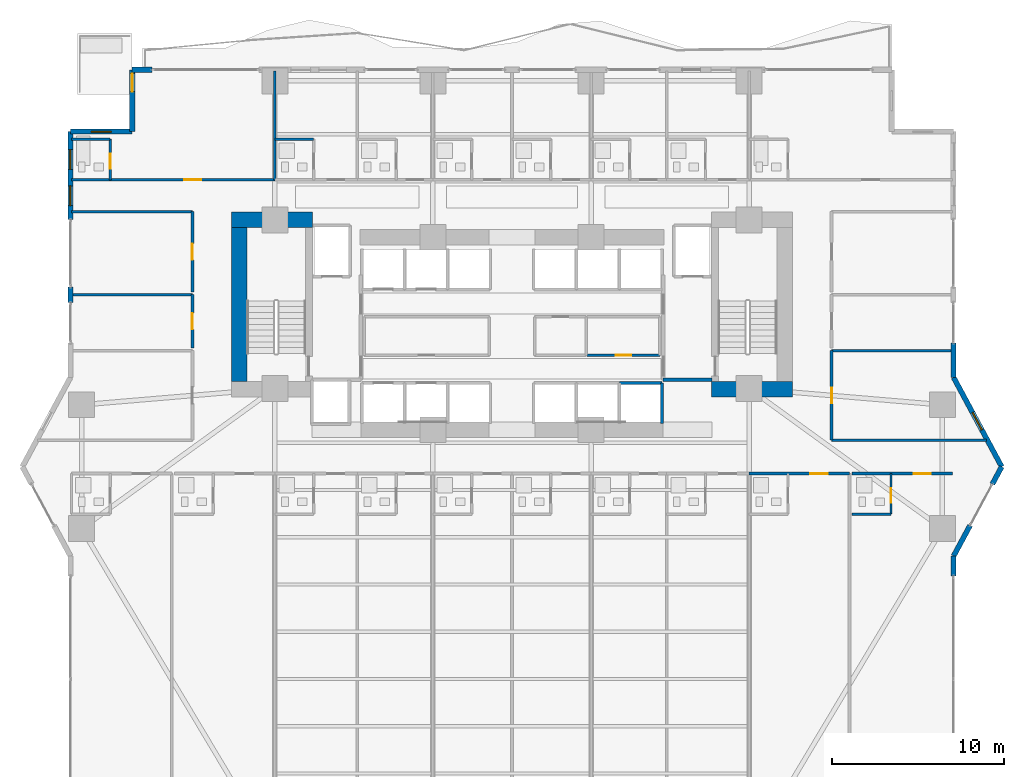
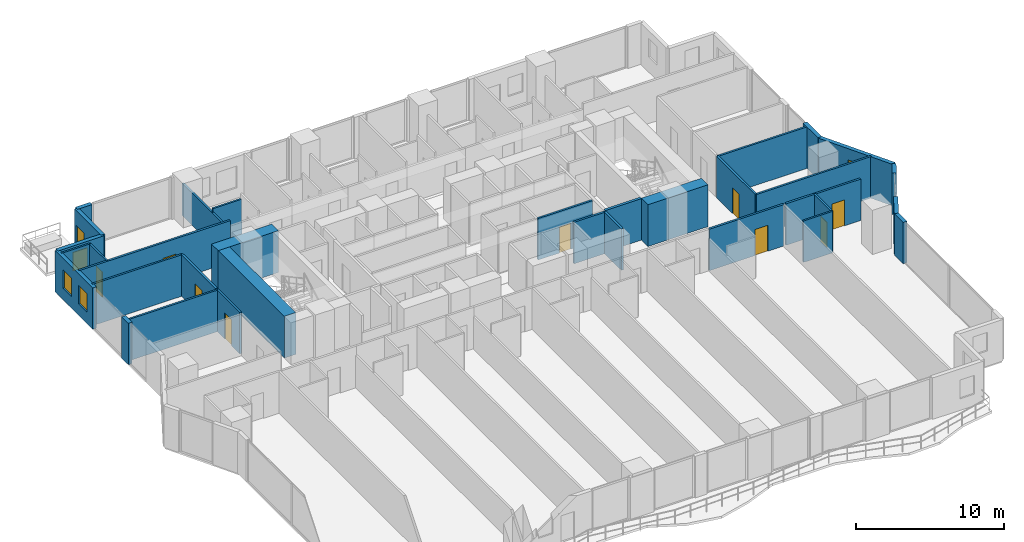
# One storey, part 21 of 29: 33 walls, 10 doors, 4 windows, 14 openings.
"""IFC4 building model written with IfcOpenShell, lengths in metres."""

import ifcopenshell
import ifcopenshell.guid

model = None  # the IFC model being written
_history = None  # IfcOwnerHistory: only IFC2X3 demands one
_inside = {}  # id of a spatial element -> (the spatial element, [elements in it])
_under = {}  # id of a project, library or spatial element -> (it, [spatial elements below it])
_declared = {}  # id of a project -> (the project, [libraries it declares])
_typed = {}  # id of a type object -> (the type object, [elements of that type])
_made_of = {}  # id of a material, layer set ... -> (it, [elements and type objects made of it])


def new_model(schema):
    """Start an empty IFC model of exactly this schema.

    Asked for "IFC4X3", IfcOpenShell would pick the latest addendum, in which some entities
    have other attributes; the version numbers below select the first issue.
    IFC2X3 requires an IfcOwnerHistory on every rooted entity: one is made here for all.
    """
    global model, _history
    if schema == "IFC4X3":
        model = ifcopenshell.file(schema_version=(4, 3, 0, 0))
    else:
        model = ifcopenshell.file(schema=schema)
    _inside.clear()
    _under.clear()
    _declared.clear()
    _typed.clear()
    _made_of.clear()
    _history = None
    if model.schema == "IFC2X3":
        org = make("IfcOrganization", Name="unknown")
        user = make(
            "IfcPersonAndOrganization",
            ThePerson=make("IfcPerson", FamilyName="unknown"),
            TheOrganization=org,
        )
        app = make(
            "IfcApplication",
            ApplicationDeveloper=org,
            Version="unknown",
            ApplicationFullName="unknown",
            ApplicationIdentifier="unknown",
        )
        _history = make(
            "IfcOwnerHistory",
            OwningUser=user,
            OwningApplication=app,
            ChangeAction="ADDED",
            CreationDate=0,
        )
    return model


def make(cls, **values):
    """One entity of the class cls with the attributes given. An attribute that is None is left unset."""
    return model.create_entity(
        cls, **{name: value for name, value in values.items() if value is not None}
    )


def rooted(cls, **values):
    """An entity with a GlobalId (a new one), such as an element, a storey or a relation."""
    return make(cls, GlobalId=ifcopenshell.guid.new(), OwnerHistory=_history, **values)


def si_unit(unit_type, name, prefix=None):
    """IfcSIUnit, for example si_unit("LENGTHUNIT", "METRE", prefix="MILLI")."""
    return make("IfcSIUnit", UnitType=unit_type, Prefix=prefix, Name=name)


def assignment(units):
    """IfcUnitAssignment: the units of a project."""
    return None if units is None else make("IfcUnitAssignment", Units=units)


def point(xyz):
    """IfcCartesianPoint."""
    return None if xyz is None else make("IfcCartesianPoint", Coordinates=xyz)


def direction(xyz):
    """IfcDirection."""
    return None if xyz is None else make("IfcDirection", DirectionRatios=xyz)


def frame(location, z_axis=None, x_axis=None):
    """IfcAxis2Placement3D, a coordinate frame: its origin and axes. An axis left out is left unset."""
    return make(
        "IfcAxis2Placement3D",
        Location=point(location),
        Axis=direction(z_axis),
        RefDirection=direction(x_axis),
    )


def frame_2d(location, x_axis=None):
    """IfcAxis2Placement2D, a coordinate frame in the plane: its origin and x axis."""
    return make(
        "IfcAxis2Placement2D", Location=point(location), RefDirection=direction(x_axis)
    )


def origin():
    """The frame at (0, 0, 0) with its axes left unset."""
    return frame((0.0, 0.0, 0.0))


def place(relative_to, where):
    """IfcLocalPlacement: puts the frame where relative to a parent placement (None: the world)."""
    return make(
        "IfcLocalPlacement", PlacementRelTo=relative_to, RelativePlacement=where
    )


def context(
    kind, dimensions, precision=None, world=None, true_north=None, identifier=None
):
    """IfcGeometricRepresentationContext, for example the 3D "Model" context."""
    return make(
        "IfcGeometricRepresentationContext",
        ContextIdentifier=identifier,
        ContextType=kind,
        CoordinateSpaceDimension=dimensions,
        Precision=precision,
        WorldCoordinateSystem=world,
        TrueNorth=true_north,
    )


def subcontext(parent, identifier, kind, view, scale=None):
    """IfcGeometricRepresentationSubContext, for example "Body" below "Model"."""
    return make(
        "IfcGeometricRepresentationSubContext",
        ContextIdentifier=identifier,
        ContextType=kind,
        ParentContext=parent,
        TargetScale=scale,
        TargetView=view,
    )


def project(units=None, contexts=None):
    """IfcProject with its units and contexts."""
    return rooted(
        "IfcProject",
        Name="project",
        RepresentationContexts=contexts,
        UnitsInContext=assignment(units),
    )


def spatial(cls, under=None, at=None, **own):
    """A site, building, storey or space (cls), placed at a placement, below another one or the project."""
    s = rooted(cls, ObjectPlacement=at, **own)
    if under is not None:
        _under.setdefault(under.id(), (under, []))[1].append(s)
    return s


def profile(cls, at=None, kind="AREA", **sizes):
    """A parametric profile (cls). Its sizes go by their IFC names, for example OverallWidth=200.0."""
    return make(cls, ProfileType=kind, Position=at, **sizes)


def rectangle(**sizes):
    """IfcRectangleProfileDef."""
    return profile("IfcRectangleProfileDef", **sizes)


def extrude(swept, where, along, depth):
    """IfcExtrudedAreaSolid: the profile swept, set in the frame where, extruded along a direction by depth."""
    return make(
        "IfcExtrudedAreaSolid",
        SweptArea=swept,
        Position=where,
        ExtrudedDirection=direction(along),
        Depth=depth,
    )


def shape(context_of_items, identifier, shape_type, items):
    """IfcShapeRepresentation: the items that make up one representation, for example the "Body"."""
    return make(
        "IfcShapeRepresentation",
        ContextOfItems=context_of_items,
        RepresentationIdentifier=identifier,
        RepresentationType=shape_type,
        Items=items,
    )


def material(Name=None, Category=None):
    """IfcMaterial."""
    return make("IfcMaterial", Name=Name, Category=Category)


def layer(
    of_material, thickness, ventilated=None, Name=None, Category=None, Priority=None
):
    """IfcMaterialLayer: one layer of a wall or slab, of a material (None: an air gap)."""
    return make(
        "IfcMaterialLayer",
        Material=of_material,
        LayerThickness=thickness,
        IsVentilated=ventilated,
        Name=Name,
        Category=Category,
        Priority=Priority,
    )


def layer_set(layers, Name=None):
    """IfcMaterialLayerSet."""
    return make("IfcMaterialLayerSet", MaterialLayers=layers, LayerSetName=Name)


def made_of(thing, what):
    """Note that an element or type object is made of a material, layer set ...; save() writes the relation."""
    if what is not None:
        _made_of.setdefault(what.id(), (what, []))[1].append(thing)
    return thing


def type_object(cls, material=None, **own):
    """A type object (cls), such as IfcWallType, which elements share."""
    return made_of(rooted(cls, **own), material)


def element(
    cls,
    number,
    at=None,
    inside=None,
    cuts=None,
    type_object=None,
    material=None,
    context=None,
    identifier="Body",
    shape_type=None,
    held_by="IfcProductDefinitionShape",
    body=None,
    shapes=None,
    **own,
):
    """One element of the class cls, such as IfcWall. Its Tag is "e" and its number.

    at: its placement. inside: the storey or other place that contains it. cuts: it is an
    opening in that element (IfcRelVoidsElement). A single representation is given by context,
    identifier, shape_type and body (its items); several are given by shapes. held_by: the class
    of the entity that holds the representations. save() writes the other relations.
    """
    e = rooted(cls, Tag="e%d" % number, ObjectPlacement=at, **own)
    if body is not None:
        shapes = [shape(context, identifier, shape_type, body)]
    if shapes is not None:
        e.Representation = make(held_by, Representations=shapes)
    if inside is not None:
        _inside.setdefault(inside.id(), (inside, []))[1].append(e)
    if cuts is not None:
        rooted(
            "IfcRelVoidsElement", RelatingBuildingElement=cuts, RelatedOpeningElement=e
        )
    if type_object is not None:
        _typed.setdefault(type_object.id(), (type_object, []))[1].append(e)
    return made_of(e, material)


def fill(opening, filler):
    """IfcRelFillsElement: the door or window that sits in an opening."""
    return rooted(
        "IfcRelFillsElement",
        RelatingOpeningElement=opening,
        RelatedBuildingElement=filler,
    )


def aggregate(whole, parts):
    """IfcRelAggregates: a whole, such as a stair, and the parts it consists of."""
    return rooted("IfcRelAggregates", RelatingObject=whole, RelatedObjects=parts)


def save(model, path):
    """Write the relations noted so far, then the file.

    IfcRelAggregates (storeys below a building ...), IfcRelContainedInSpatialStructure (elements
    in a storey), IfcRelDefinesByType, IfcRelAssociatesMaterial and IfcRelDeclares: one each for
    every whole, place, type object, material and project.
    """
    for whole, parts in _under.values():
        aggregate(whole, parts)
    for where, things in _inside.values():
        rooted(
            "IfcRelContainedInSpatialStructure",
            RelatedElements=things,
            RelatingStructure=where,
        )
    for kind, things in _typed.values():
        rooted("IfcRelDefinesByType", RelatedObjects=things, RelatingType=kind)
    for what, things in _made_of.values():
        rooted("IfcRelAssociatesMaterial", RelatedObjects=things, RelatingMaterial=what)
    for by, libraries in _declared.values():
        rooted("IfcRelDeclares", RelatingContext=by, RelatedDefinitions=libraries)
    model.write(path)


model = new_model("IFC4")

# Units and contexts
model_context = context("Model", 3, precision=1e-05, world=origin(), true_north=direction((0.0, 1.0)))
body_context = subcontext(model_context, "Body", "Model", "MODEL_VIEW")
ifc_project = project(units=[si_unit("LENGTHUNIT", "METRE"), si_unit("AREAUNIT", "SQUARE_METRE"), si_unit("VOLUMEUNIT", "CUBIC_METRE"), si_unit("PLANEANGLEUNIT", "RADIAN"), si_unit("MASSUNIT", "GRAM", prefix="KILO")], contexts=[model_context])

# Site, building, storey
site_placement = place(None, origin())
site = spatial("IfcSite", under=ifc_project, at=site_placement, CompositionType="ELEMENT")
building_placement = place(site_placement, origin())
building = spatial("IfcBuilding", under=site, at=building_placement, Name="Zuhayl Quay Hotel", CompositionType="ELEMENT")
storey_placement = place(building_placement, frame((0.0, 0.0, 60.449951171875)))
storey = spatial("IfcBuildingStorey", under=building, at=storey_placement, Name="L14", CompositionType="ELEMENT", Elevation=60.449951171875)

# Walls
ifc_material_1 = material(Name="Concrete C70/85", Category="concrete")
ifc_layer_1 = layer(ifc_material_1, 0.89990234375, Name="Concrete C70/85", Category="concrete")
ifc_layer_set_1 = layer_set([ifc_layer_1], Name="Concrete C70/85")
wall_type_1 = type_object("IfcWallType", Name="WL_CORE_900", PredefinedType="SHEAR", material=ifc_layer_set_1)
wall_1_placement = place(storey_placement, frame((-16.31005859375, 14.3798828125, 0.0), z_axis=(0.0, 0.0, 1.0), x_axis=(1.0, 0.0, 0.0)))
element("IfcWall", 1, at=wall_1_placement, inside=storey, type_object=wall_type_1, Name="L14 Core Shear Wall CW_NW", PredefinedType="SHEAR", context=body_context, shape_type="SweptSolid", body=[
    extrude(rectangle(XDim=4.7099609375, YDim=0.89990234375, at=frame_2d((2.35498046875, 0.0))), origin(), (0.0, 0.0, 1.0), 3.4599609375),
])
wall_2_placement = place(storey_placement, frame((-15.860107421875, 4.969970703125, 0.0), z_axis=(0.0, 0.0, 1.0), x_axis=(0.0, 1.0, 0.0)))
element("IfcWall", 2, at=wall_2_placement, inside=storey, type_object=wall_type_1, Name="L14 Core Shear Wall CW_W", PredefinedType="SHEAR", context=body_context, shape_type="SweptSolid", body=[
    extrude(rectangle(XDim=8.9599609375, YDim=0.89990234375, at=frame_2d((4.47998046875, 0.0))), origin(), (0.0, 0.0, 1.0), 3.4599609375),
])
wall_3_placement = place(storey_placement, frame((11.60009765625, 4.52001953125, 0.0), z_axis=(0.0, 0.0, 1.0), x_axis=(1.0, 0.0, 0.0)))
element("IfcWall", 3, at=wall_3_placement, inside=storey, type_object=wall_type_1, Name="L14 Core Shear Wall CW_SE", PredefinedType="SHEAR", context=body_context, shape_type="SweptSolid", body=[
    extrude(rectangle(XDim=4.7099609375, YDim=0.89990234375, at=frame_2d((2.35498046875, 0.0))), origin(), (0.0, 0.0, 1.0), 3.4599609375),
])
ifc_material_2 = material(Name="Precast concrete C45/55", Category="concrete")
ifc_layer_2 = layer(ifc_material_2, 0.300048828125, Name="Precast concrete C45/55", Category="concrete")
ifc_layer_set_2 = layer_set([ifc_layer_2], Name="Precast concrete C45/55")
wall_type_2 = type_object("IfcWallType", Name="WL_EXT_300", PredefinedType="STANDARD", material=ifc_layer_set_2)
wall_4_placement = place(storey_placement, frame((-25.699951171875, 9.570068359375, 0.0), z_axis=(0.0, 0.0, 1.0), x_axis=(0.0, 1.0, 0.0)))
element("IfcWall", 4, at=wall_4_placement, inside=storey, type_object=wall_type_2, Name="L14 Exterior Precast Wall ENV_L14_E05_EW2", PredefinedType="STANDARD", context=body_context, shape_type="SweptSolid", body=[
    extrude(rectangle(XDim=0.89990234375, YDim=0.300048828125, at=frame_2d((0.449951171875, 0.0))), origin(), (0.0, 0.0, 1.0), 3.429931640625),
])

# Wall, openings, windows
wall_5_placement = place(storey_placement, frame((-25.699951171875, 14.39990234375, 0.0), z_axis=(0.0, 0.0, 1.0), x_axis=(0.0, 1.0, 0.0)))
wall_5 = element("IfcWall", 5, at=wall_5_placement, inside=storey, type_object=wall_type_2, Name="L14 Exterior Precast Wall ENV_L14_E05_EW3", PredefinedType="STANDARD", context=body_context, shape_type="SweptSolid", body=[
    extrude(rectangle(XDim=5.10009765625, YDim=0.300048828125, at=frame_2d((2.550048828125, 0.0))), origin(), (0.0, 0.0, 1.0), 3.429931640625),
])
opening_1_placement = place(wall_5_placement, frame((0.800048828125, 0.0, 0.949951171875)))
opening_1 = element("IfcOpeningElement", 6, at=opening_1_placement, cuts=wall_5, Name="Opening W01N", PredefinedType="OPENING", context=body_context, shape_type="SweptSolid", body=[
    extrude(rectangle(XDim=1.14990234375, YDim=1.550048828125, at=frame_2d((0.574951171875, 0.77490234375))), frame((0.0, 0.159912109375, 0.0), z_axis=(0.0, -1.0, 0.0), x_axis=(1.0, 0.0, 0.0)), (0.0, 0.0, 1.0), 0.320068359375),
])
opening_2_placement = place(wall_5_placement, frame((2.905029296875, 0.0, 0.949951171875)))
opening_2 = element("IfcOpeningElement", 7, at=opening_2_placement, cuts=wall_5, Name="Opening W01N", PredefinedType="OPENING", context=body_context, shape_type="SweptSolid", body=[
    extrude(rectangle(XDim=1.14990234375, YDim=1.550048828125, at=frame_2d((0.574951171875, 0.77490234375))), frame((0.0, 0.159912109375, 0.0), z_axis=(0.0, -1.0, 0.0), x_axis=(1.0, 0.0, 0.0)), (0.0, 0.0, 1.0), 0.320068359375),
])
ifc_material_3 = material(Name="Dark Ceramic-Fritted Solar Glass", Category="glass")
window_type = type_object("IfcWindowType", Name="WN_NOTCH_1350", PartitioningType="SINGLE_PANEL", PredefinedType="WINDOW", material=ifc_material_3)
window_1_placement = place(opening_1_placement, origin())
window_1 = element("IfcWindow", 8, at=window_1_placement, inside=storey, type_object=window_type, Name="L14 Operable Facade Window 3-1", OverallHeight=1.550048828125, OverallWidth=1.14990234375, PartitioningType="SINGLE_PANEL", PredefinedType="WINDOW", context=body_context, shape_type="SweptSolid", body=[
    extrude(rectangle(XDim=1.14990234375, YDim=1.550048828125, at=frame_2d((0.574951171875, 0.77490234375))), frame((0.0, 0.030029296875, 0.0), z_axis=(0.0, -1.0, 0.0), x_axis=(1.0, 0.0, 0.0)), (0.0, 0.0, 1.0), 0.06005859375),
])
fill(opening_1, window_1)
window_2_placement = place(opening_2_placement, origin())
window_2 = element("IfcWindow", 9, at=window_2_placement, inside=storey, type_object=window_type, Name="L14 Operable Facade Window 3-2", OverallHeight=1.550048828125, OverallWidth=1.14990234375, PartitioningType="SINGLE_PANEL", PredefinedType="WINDOW", context=body_context, shape_type="SweptSolid", body=[
    extrude(rectangle(XDim=1.14990234375, YDim=1.550048828125, at=frame_2d((0.574951171875, 0.77490234375))), frame((0.0, 0.030029296875, 0.0), z_axis=(0.0, -1.0, 0.0), x_axis=(1.0, 0.0, 0.0)), (0.0, 0.0, 1.0), 0.06005859375),
])
fill(opening_2, window_2)

# Wall, opening, window
wall_6_placement = place(storey_placement, frame((-25.699951171875, 19.5, 0.0), z_axis=(0.0, 0.0, 1.0), x_axis=(1.0, 0.0, 0.0)))
wall_6 = element("IfcWall", 10, at=wall_6_placement, inside=storey, type_object=wall_type_2, Name="L14 Exterior Precast Wall ENV_L14_EW06", PredefinedType="STANDARD", context=body_context, shape_type="SweptSolid", body=[
    extrude(rectangle(XDim=3.599853515625, YDim=0.300048828125, at=frame_2d((1.7998046875, 0.0))), origin(), (0.0, 0.0, 1.0), 3.429931640625),
])
opening_3_placement = place(wall_6_placement, frame((1.22509765625, 0.0, 1.25)))
opening_3 = element("IfcOpeningElement", 11, at=opening_3_placement, cuts=wall_6, Name="Opening W01N", PredefinedType="OPENING", context=body_context, shape_type="SweptSolid", body=[
    extrude(rectangle(XDim=1.14990234375, YDim=1.550048828125, at=frame_2d((0.574951171875, 0.77490234375))), frame((0.0, 0.159912109375, 0.0), z_axis=(0.0, -1.0, 0.0), x_axis=(1.0, 0.0, 0.0)), (0.0, 0.0, 1.0), 0.320068359375),
])
window_3_placement = place(opening_3_placement, origin())
window_3 = element("IfcWindow", 12, at=window_3_placement, inside=storey, type_object=window_type, Name="L14 Corner Notch Window 6", OverallHeight=1.550048828125, OverallWidth=1.14990234375, PartitioningType="SINGLE_PANEL", PredefinedType="WINDOW", context=body_context, shape_type="SweptSolid", body=[
    extrude(rectangle(XDim=1.14990234375, YDim=1.550048828125, at=frame_2d((0.574951171875, 0.77490234375))), frame((0.0, 0.030029296875, 0.0), z_axis=(0.0, -1.0, 0.0), x_axis=(1.0, 0.0, 0.0)), (0.0, 0.0, 1.0), 0.06005859375),
])
fill(opening_3, window_3)

# Wall, opening, door
wall_7_placement = place(storey_placement, frame((-22.10009765625, 19.5, 0.0), z_axis=(0.0, 0.0, 1.0), x_axis=(0.0, 1.0, 0.0)))
wall_7 = element("IfcWall", 13, at=wall_7_placement, inside=storey, type_object=wall_type_2, Name="L14 Exterior Precast Wall ENV_L14_SP_NW", PredefinedType="STANDARD", context=body_context, shape_type="SweptSolid", body=[
    extrude(rectangle(XDim=3.60009765625, YDim=0.300048828125, at=frame_2d((1.800048828125, 0.0))), origin(), (0.0, 0.0, 1.0), 3.429931640625),
])
opening_4_placement = place(wall_7_placement, frame((2.330078125, 0.0, 0.0)))
opening_4 = element("IfcOpeningElement", 14, at=opening_4_placement, cuts=wall_7, Name="Opening DG1", PredefinedType="OPENING", context=body_context, shape_type="SweptSolid", body=[
    extrude(rectangle(XDim=1.050048828125, YDim=2.199951171875, at=frame_2d((0.52490234375, 1.10009765625))), frame((0.0, 0.159912109375, 0.0), z_axis=(0.0, -1.0, 0.0), x_axis=(1.0, 0.0, 0.0)), (0.0, 0.0, 1.0), 0.320068359375),
])
ifc_material_4 = material(Name="Anodised Aluminium and Dark Solar Glass", Category="aluminium")
door_type_1 = type_object("IfcDoorType", Name="DR_EXT_TERR_1050", OperationType="NOTDEFINED", PredefinedType="DOOR", material=ifc_material_4)
door_1_placement = place(opening_4_placement, origin())
door_1 = element("IfcDoor", 15, at=door_1_placement, inside=storey, type_object=door_type_1, Name="L14 Spiral Sky-Terrace NW Access Door", OperationType="SINGLE_SWING_LEFT", OverallHeight=2.199951171875, OverallWidth=1.050048828125, PredefinedType="DOOR", context=body_context, shape_type="SweptSolid", body=[
    extrude(rectangle(XDim=1.050048828125, YDim=2.199951171875, at=frame_2d((0.52490234375, 1.10009765625))), frame((0.0, 0.02490234375, 0.0), z_axis=(0.0, -1.0, 0.0), x_axis=(1.0, 0.0, 0.0)), (0.0, 0.0, 1.0), 0.050048828125),
])
fill(opening_4, door_1)

# Walls
wall_8_placement = place(storey_placement, frame((-22.10009765625, 23.10009765625, 0.0), z_axis=(0.0, 0.0, 1.0), x_axis=(1.0, 0.0, 0.0)))
element("IfcWall", 16, at=wall_8_placement, inside=storey, type_object=wall_type_2, Name="L14 Exterior Precast Wall ENV_L14_N_EW1", PredefinedType="STANDARD", context=body_context, shape_type="SweptSolid", body=[
    extrude(rectangle(XDim=1.150146484375, YDim=0.300048828125, at=frame_2d((0.5751953125, 0.0))), origin(), (0.0, 0.0, 1.0), 3.429931640625),
])
wall_9_placement = place(storey_placement, frame((25.699951171875, 7.199951171875, 0.0), z_axis=(0.0, 0.0, 1.0), x_axis=(0.0, -1.0, 0.0)))
element("IfcWall", 17, at=wall_9_placement, inside=storey, type_object=wall_type_2, Name="L14 Exterior Precast Wall ENV_L14_E11_EW3", PredefinedType="STANDARD", context=body_context, shape_type="SweptSolid", body=[
    extrude(rectangle(XDim=2.0, YDim=0.300048828125, at=frame_2d((1.0, 0.0))), origin(), (0.0, 0.0, 1.0), 3.429931640625),
])

# Wall, opening, window
wall_10_placement = place(storey_placement, frame((25.699951171875, 5.199951171875, 0.0), z_axis=(0.0, 0.0, 1.0), x_axis=(0.474109683532, -0.880465790352, 0.0)))
wall_10 = element("IfcWall", 18, at=wall_10_placement, inside=storey, type_object=wall_type_2, Name="L14 Exterior Precast Wall ENV_L14_E12_EW1", PredefinedType="STANDARD", context=body_context, shape_type="SweptSolid", body=[
    extrude(rectangle(XDim=5.906005859375, YDim=0.300048828125, at=frame_2d((2.953125, 0.0))), origin(), (0.0, 0.0, 1.0), 3.429931640625),
])
opening_5_placement = place(wall_10_placement, frame((2.32373046875, 0.0, 0.949951171875)))
opening_5 = element("IfcOpeningElement", 19, at=opening_5_placement, cuts=wall_10, Name="Opening W01N", PredefinedType="OPENING", context=body_context, shape_type="SweptSolid", body=[
    extrude(rectangle(XDim=1.14990234375, YDim=1.550048828125, at=frame_2d((0.574951171875, 0.77490234375))), frame((0.0, 0.159912109375, 0.0), z_axis=(0.0, -1.0, 0.0), x_axis=(1.0, 0.0, 0.0)), (0.0, 0.0, 1.0), 0.320068359375),
])
window_4_placement = place(opening_5_placement, origin())
window_4 = element("IfcWindow", 20, at=window_4_placement, inside=storey, type_object=window_type, Name="L14 Operable Facade Window 1-1", OverallHeight=1.550048828125, OverallWidth=1.14990234375, PartitioningType="SINGLE_PANEL", PredefinedType="WINDOW", context=body_context, shape_type="SweptSolid", body=[
    extrude(rectangle(XDim=1.14990234375, YDim=1.550048828125, at=frame_2d((0.574951171875, 0.77490234375))), frame((0.0, 0.030029296875, 0.0), z_axis=(0.0, -1.0, 0.0), x_axis=(1.0, 0.0, 0.0)), (0.0, 0.0, 1.0), 0.06005859375),
])
fill(opening_5, window_4)

# Walls
wall_11_placement = place(storey_placement, frame((28.5, 0.0, 0.0), z_axis=(0.0, 0.0, 1.0), x_axis=(-0.474099823035, -0.880471099922, 0.0)))
element("IfcWall", 21, at=wall_11_placement, inside=storey, type_object=wall_type_2, Name="L14 Exterior Precast Wall ENV_L14_E13_EW1", PredefinedType="STANDARD", context=body_context, shape_type="SweptSolid", body=[
    extrude(rectangle(XDim=1.14990234375, YDim=0.300048828125, at=frame_2d((0.574951171875, 0.0))), origin(), (0.0, 0.0, 1.0), 3.429931640625),
])
wall_12_placement = place(storey_placement, frame((26.657958984375, -3.4208984375, 0.0), z_axis=(0.0, 0.0, 1.0), x_axis=(-0.474121438562, -0.88045946045, 0.0)))
element("IfcWall", 22, at=wall_12_placement, inside=storey, type_object=wall_type_2, Name="L14 Exterior Precast Wall ENV_L14_E13_EW2", PredefinedType="STANDARD", context=body_context, shape_type="SweptSolid", body=[
    extrude(rectangle(XDim=2.0205078125, YDim=0.300048828125, at=frame_2d((1.01025390625, 0.0))), origin(), (0.0, 0.0, 1.0), 3.429931640625),
])
wall_13_placement = place(storey_placement, frame((25.699951171875, -5.199951171875, 0.0), z_axis=(0.0, 0.0, 1.0), x_axis=(0.0, -1.0, 0.0)))
element("IfcWall", 23, at=wall_13_placement, inside=storey, type_object=wall_type_2, Name="L14 Exterior Precast Wall ENV_L14_E14_EW1", PredefinedType="STANDARD", context=body_context, shape_type="SweptSolid", body=[
    extrude(rectangle(XDim=1.150146484375, YDim=0.300048828125, at=frame_2d((0.5751953125, 0.0))), origin(), (0.0, 0.0, 1.0), 3.429931640625),
])

# Wall, opening, door
ifc_material_5 = material(Name="Acoustic Gypsum Partition STC-58")
ifc_layer_3 = layer(ifc_material_5, 0.14990234375, Name="Acoustic Gypsum Partition STC-58")
ifc_layer_set_3 = layer_set([ifc_layer_3], Name="Acoustic Gypsum Partition STC-58")
wall_type_3 = type_object("IfcWallType", Name="WL_PART_150", PredefinedType="PARTITIONING", material=ifc_layer_set_3)
wall_14_placement = place(storey_placement, frame((4.3701171875, 6.47998046875, 0.0), z_axis=(0.0, 0.0, 1.0), x_axis=(1.0, 0.0, 0.0)))
wall_14 = element("IfcWall", 24, at=wall_14_placement, inside=storey, type_object=wall_type_3, Name="L14 Partition IW_L14_CORE_LN_S", PredefinedType="PARTITIONING", context=body_context, shape_type="SweptSolid", body=[
    extrude(rectangle(XDim=4.239990234375, YDim=0.14990234375, at=frame_2d((2.1201171875, 0.0))), origin(), (0.0, 0.0, 1.0), 3.429931640625),
])
opening_6_placement = place(wall_14_placement, frame((1.669921875, 0.0, 0.0)))
opening_6 = element("IfcOpeningElement", 25, at=opening_6_placement, cuts=wall_14, Name="Opening D06", PredefinedType="OPENING", context=body_context, shape_type="SweptSolid", body=[
    extrude(rectangle(XDim=0.89990234375, YDim=2.14990234375, at=frame_2d((0.449951171875, 1.074951171875))), frame((0.0, 0.0849609375, 0.0), z_axis=(0.0, -1.0, 0.0), x_axis=(1.0, 0.0, 0.0)), (0.0, 0.0, 1.0), 0.169921875),
])
ifc_material_6 = material(Name="Steel ASTM A992 Grade 50", Category="steel")
door_type_2 = type_object("IfcDoorType", Name="DR_INT_900", OperationType="NOTDEFINED", PredefinedType="DOOR", material=ifc_material_6)
door_2_placement = place(opening_6_placement, origin())
door_2 = element("IfcDoor", 26, at=door_2_placement, inside=storey, type_object=door_type_2, Name="L14 Core Linen Store Door", OperationType="SINGLE_SWING_RIGHT", OverallHeight=2.14990234375, OverallWidth=0.89990234375, PredefinedType="DOOR", context=body_context, shape_type="SweptSolid", body=[
    extrude(rectangle(XDim=0.89990234375, YDim=2.14990234375, at=frame_2d((0.449951171875, 1.074951171875))), frame((0.0, 0.02490234375, 0.0), z_axis=(0.0, -1.0, 0.0), x_axis=(1.0, 0.0, 0.0)), (0.0, 0.0, 1.0), 0.050048828125),
])
fill(opening_6, door_2)

# Walls
wall_15_placement = place(storey_placement, frame((-13.800048828125, 16.699951171875, 0.0), z_axis=(0.0, 0.0, 1.0), x_axis=(0.0, 1.0, 0.0)))
element("IfcWall", 27, at=wall_15_placement, inside=storey, type_object=wall_type_3, Name="L14 Partition IW_L14_NU01_E", PredefinedType="PARTITIONING", context=body_context, shape_type="SweptSolid", body=[
    extrude(rectangle(XDim=6.320068359375, YDim=0.14990234375, at=frame_2d((3.16015625, 0.0))), origin(), (0.0, 0.0, 1.0), 2.66796875),
])
wall_16_placement = place(storey_placement, frame((18.60009765625, 1.550048828125, 0.0), z_axis=(0.0, 0.0, 1.0), x_axis=(1.0, 0.0, 0.0)))
element("IfcWall", 28, at=wall_16_placement, inside=storey, type_object=wall_type_3, Name="L14 Partition IW_L14_HK_MAIN_S", PredefinedType="PARTITIONING", context=body_context, shape_type="SweptSolid", body=[
    extrude(rectangle(XDim=9.00537109375, YDim=0.14990234375, at=frame_2d((4.502685546875, 0.0))), origin(), (0.0, 0.0, 1.0), 3.429931640625),
])
for number, where, z_axis, x_axis, name in (
    (29, (18.60009765625, 6.75, 0.0), (0.0, 0.0, 1.0), (1.0, 0.0, 0.0), "L14 Partition IW_L14_HK_MAIN_N"),
    (30, (-25.639892578125, 10.02001953125, 0.0), (0.0, 0.0, 1.0), (1.0, 0.0, 0.0), "L14 Partition IW_L14_WPROW_2_N"),
    (31, (-25.639892578125, 14.85009765625, 0.0), (0.0, 0.0, 1.0), (1.0, 0.0, 0.0), "L14 Partition IW_L14_WPROW_3_N"),
):
    element("IfcWall", number, at=place(storey_placement, frame(where, z_axis=z_axis, x_axis=x_axis)), inside=storey, type_object=wall_type_3, Name=name, PredefinedType="PARTITIONING", context=body_context, shape_type="SweptSolid", body=[
        extrude(rectangle(XDim=7.039794921875, YDim=0.14990234375, at=frame_2d((3.52001953125, 0.0))), origin(), (0.0, 0.0, 1.0), 3.429931640625),
    ])

# Wall, opening, door
ifc_layer_4 = layer(ifc_material_5, 0.159912109375, Name="Acoustic Gypsum Partition STC-58")
ifc_layer_set_4 = layer_set([ifc_layer_4], Name="Acoustic Gypsum Partition STC-58")
wall_type_4 = type_object("IfcWallType", Name="WL_PART_CORR_160", PredefinedType="PARTITIONING", material=ifc_layer_set_4)
wall_17_placement = place(storey_placement, frame((-25.639892578125, 16.699951171875, 0.0), z_axis=(0.0, 0.0, 1.0), x_axis=(1.0, 0.0, 0.0)))
wall_17 = element("IfcWall", 32, at=wall_17_placement, inside=storey, type_object=wall_type_4, Name="L14 Partition IW_L14_NU01_COR", PredefinedType="PARTITIONING", context=body_context, shape_type="SweptSolid", body=[
    extrude(rectangle(XDim=11.83984375, YDim=0.159912109375, at=frame_2d((5.919921875, 0.0))), origin(), (0.0, 0.0, 1.0), 3.429931640625),
])
opening_7_placement = place(wall_17_placement, frame((6.570068359375, 0.0, 0.0)))
opening_7 = element("IfcOpeningElement", 33, at=opening_7_placement, cuts=wall_17, Name="Opening D03L", PredefinedType="OPENING", context=body_context, shape_type="SweptSolid", body=[
    extrude(rectangle(XDim=1.0, YDim=2.14990234375, at=frame_2d((0.5, 1.074951171875))), frame((0.0, 0.08984375, 0.0), z_axis=(0.0, -1.0, 0.0), x_axis=(1.0, 0.0, 0.0)), (0.0, 0.0, 1.0), 0.179931640625),
])
ifc_material_7 = material(Name="Solid Walnut Acoustic Fire Door")
door_type_3 = type_object("IfcDoorType", Name="DR_SUITE_1000", OperationType="NOTDEFINED", PredefinedType="DOOR", material=ifc_material_7)
door_3_placement = place(opening_7_placement, origin())
door_3 = element("IfcDoor", 34, at=door_3_placement, inside=storey, type_object=door_type_3, Name="L14 Deluxe Gulf Guest Room L14-01 Entrance Door", OperationType="SINGLE_SWING_RIGHT", OverallHeight=2.14990234375, OverallWidth=1.0, PredefinedType="DOOR", context=body_context, shape_type="SweptSolid", body=[
    extrude(rectangle(XDim=1.0, YDim=2.14990234375, at=frame_2d((0.5, 1.074951171875))), frame((0.0, 0.02490234375, 0.0), z_axis=(0.0, -1.0, 0.0), x_axis=(1.0, 0.0, 0.0)), (0.0, 0.0, 1.0), 0.050048828125),
])
fill(opening_7, door_3)

wall_18_placement = place(storey_placement, frame((13.800048828125, -0.39990234375, 0.0), z_axis=(0.0, 0.0, 1.0), x_axis=(1.0, 0.0, 0.0)))
wall_18 = element("IfcWall", 35, at=wall_18_placement, inside=storey, type_object=wall_type_4, Name="L14 Partition IW_L14_SU08A_COR", PredefinedType="PARTITIONING", context=body_context, shape_type="SweptSolid", body=[
    extrude(rectangle(XDim=5.83984375, YDim=0.159912109375, at=frame_2d((2.919921875, 0.0))), origin(), (0.0, 0.0, 1.0), 3.429931640625),
])
opening_8_placement = place(wall_18_placement, frame((3.570068359375, 0.0, 0.0)))
opening_8 = element("IfcOpeningElement", 36, at=opening_8_placement, cuts=wall_18, Name="Opening D03L", PredefinedType="OPENING", context=body_context, shape_type="SweptSolid", body=[
    extrude(rectangle(XDim=1.0, YDim=2.14990234375, at=frame_2d((0.5, 1.074951171875))), frame((0.0, 0.08984375, 0.0), z_axis=(0.0, -1.0, 0.0), x_axis=(1.0, 0.0, 0.0)), (0.0, 0.0, 1.0), 0.179931640625),
])
door_4_placement = place(opening_8_placement, origin())
door_4 = element("IfcDoor", 37, at=door_4_placement, inside=storey, type_object=door_type_3, Name="L14 Premier Twin Junior Suite L14-08A Entrance Door", OperationType="SINGLE_SWING_RIGHT", OverallHeight=2.14990234375, OverallWidth=1.0, PredefinedType="DOOR", context=body_context, shape_type="SweptSolid", body=[
    extrude(rectangle(XDim=1.0, YDim=2.14990234375, at=frame_2d((0.5, 1.074951171875))), frame((0.0, 0.02490234375, 0.0), z_axis=(0.0, -1.0, 0.0), x_axis=(1.0, 0.0, 0.0)), (0.0, 0.0, 1.0), 0.050048828125),
])
fill(opening_8, door_4)

wall_19_placement = place(storey_placement, frame((19.800048828125, -0.39990234375, 0.0), z_axis=(0.0, 0.0, 1.0), x_axis=(1.0, 0.0, 0.0)))
wall_19 = element("IfcWall", 38, at=wall_19_placement, inside=storey, type_object=wall_type_4, Name="L14 Partition IW_L14_SU08B_COR", PredefinedType="PARTITIONING", context=body_context, shape_type="SweptSolid", body=[
    extrude(rectangle(XDim=5.83984375, YDim=0.159912109375, at=frame_2d((2.919921875, 0.0))), origin(), (0.0, 0.0, 1.0), 3.429931640625),
])
opening_9_placement = place(wall_19_placement, frame((3.570068359375, 0.0, 0.0)))
opening_9 = element("IfcOpeningElement", 39, at=opening_9_placement, cuts=wall_19, Name="Opening D03L", PredefinedType="OPENING", context=body_context, shape_type="SweptSolid", body=[
    extrude(rectangle(XDim=1.0, YDim=2.14990234375, at=frame_2d((0.5, 1.074951171875))), frame((0.0, 0.08984375, 0.0), z_axis=(0.0, -1.0, 0.0), x_axis=(1.0, 0.0, 0.0)), (0.0, 0.0, 1.0), 0.179931640625),
])
door_5_placement = place(opening_9_placement, origin())
door_5 = element("IfcDoor", 40, at=door_5_placement, inside=storey, type_object=door_type_3, Name="L14 Premier Twin Junior Suite L14-08B Entrance Door", OperationType="SINGLE_SWING_RIGHT", OverallHeight=2.14990234375, OverallWidth=1.0, PredefinedType="DOOR", context=body_context, shape_type="SweptSolid", body=[
    extrude(rectangle(XDim=1.0, YDim=2.14990234375, at=frame_2d((0.5, 1.074951171875))), frame((0.0, 0.02490234375, 0.0), z_axis=(0.0, -1.0, 0.0), x_axis=(1.0, 0.0, 0.0)), (0.0, 0.0, 1.0), 0.050048828125),
])
fill(opening_9, door_5)

wall_20_placement = place(storey_placement, frame((18.60009765625, 1.550048828125, 0.0), z_axis=(0.0, 0.0, 1.0), x_axis=(0.0, 1.0, 0.0)))
wall_20 = element("IfcWall", 41, at=wall_20_placement, inside=storey, type_object=wall_type_4, Name="L14 Partition IW_L14_HK_MAIN_W", PredefinedType="PARTITIONING", context=body_context, shape_type="SweptSolid", body=[
    extrude(rectangle(XDim=5.199951171875, YDim=0.159912109375, at=frame_2d((2.60009765625, 0.0))), origin(), (0.0, 0.0, 1.0), 3.429931640625),
])
opening_10_placement = place(wall_20_placement, frame((2.139892578125, 0.0, 0.0)))
opening_10 = element("IfcOpeningElement", 42, at=opening_10_placement, cuts=wall_20, Name="Opening D05", PredefinedType="OPENING", context=body_context, shape_type="SweptSolid", body=[
    extrude(rectangle(XDim=0.919921875, YDim=2.1201171875, at=frame_2d((0.4599609375, 1.06005859375))), frame((0.0, 0.08984375, 0.0), z_axis=(0.0, -1.0, 0.0), x_axis=(1.0, 0.0, 0.0)), (0.0, 0.0, 1.0), 0.179931640625),
])
door_type_4 = type_object("IfcDoorType", Name="DR_INT_950", OperationType="NOTDEFINED", PredefinedType="DOOR", material=ifc_material_7)
door_6_placement = place(opening_10_placement, origin())
door_6 = element("IfcDoor", 43, at=door_6_placement, inside=storey, type_object=door_type_4, Name="L14 Housekeeping and Linen Room Door", OperationType="SINGLE_SWING_LEFT", OverallHeight=2.1201171875, OverallWidth=0.919921875, PredefinedType="DOOR", context=body_context, shape_type="SweptSolid", body=[
    extrude(rectangle(XDim=0.919921875, YDim=2.1201171875, at=frame_2d((0.4599609375, 1.06005859375))), frame((0.0, 0.02490234375, 0.0), z_axis=(0.0, -1.0, 0.0), x_axis=(1.0, 0.0, 0.0)), (0.0, 0.0, 1.0), 0.050048828125),
])
fill(opening_10, door_6)

wall_21_placement = place(storey_placement, frame((-18.60009765625, 6.909912109375, 0.0), z_axis=(0.0, 0.0, 1.0), x_axis=(0.0, 1.0, 0.0)))
wall_21 = element("IfcWall", 44, at=wall_21_placement, inside=storey, type_object=wall_type_4, Name="L14 Partition IW_L14_WPROW_2_E", PredefinedType="PARTITIONING", context=body_context, shape_type="SweptSolid", body=[
    extrude(rectangle(XDim=3.110107421875, YDim=0.159912109375, at=frame_2d((1.55517578125, 0.0))), origin(), (0.0, 0.0, 1.0), 3.429931640625),
])
opening_11_placement = place(wall_21_placement, frame((1.080078125, 0.0, 0.0)))
opening_11 = element("IfcOpeningElement", 45, at=opening_11_placement, cuts=wall_21, Name="Opening D03", PredefinedType="OPENING", context=body_context, shape_type="SweptSolid", body=[
    extrude(rectangle(XDim=0.949951171875, YDim=2.14990234375, at=frame_2d((0.47509765625, 1.074951171875))), frame((0.0, 0.08984375, 0.0), z_axis=(0.0, -1.0, 0.0), x_axis=(1.0, 0.0, 0.0)), (0.0, 0.0, 1.0), 0.179931640625),
])
door_type_5 = type_object("IfcDoorType", Name="DR_SUITE_950", OperationType="NOTDEFINED", PredefinedType="DOOR", material=ifc_material_7)
door_7_placement = place(opening_11_placement, origin())
door_7 = element("IfcDoor", 46, at=door_7_placement, inside=storey, type_object=door_type_5, Name="L14 Sunset Tea Salon L14 Door", OperationType="SINGLE_SWING_LEFT", OverallHeight=2.14990234375, OverallWidth=0.949951171875, PredefinedType="DOOR", context=body_context, shape_type="SweptSolid", body=[
    extrude(rectangle(XDim=0.949951171875, YDim=2.14990234375, at=frame_2d((0.47509765625, 1.074951171875))), frame((0.0, 0.02490234375, 0.0), z_axis=(0.0, -1.0, 0.0), x_axis=(1.0, 0.0, 0.0)), (0.0, 0.0, 1.0), 0.050048828125),
])
fill(opening_11, door_7)

wall_22_placement = place(storey_placement, frame((-18.60009765625, 10.179931640625, 0.0), z_axis=(0.0, 0.0, 1.0), x_axis=(0.0, 1.0, 0.0)))
wall_22 = element("IfcWall", 47, at=wall_22_placement, inside=storey, type_object=wall_type_4, Name="L14 Partition IW_L14_WPROW_3_E", PredefinedType="PARTITIONING", context=body_context, shape_type="SweptSolid", body=[
    extrude(rectangle(XDim=4.670166015625, YDim=0.159912109375, at=frame_2d((2.3349609375, 0.0))), origin(), (0.0, 0.0, 1.0), 3.429931640625),
])
opening_12_placement = place(wall_22_placement, frame((1.860107421875, 0.0, 0.0)))
opening_12 = element("IfcOpeningElement", 48, at=opening_12_placement, cuts=wall_22, Name="Opening D03", PredefinedType="OPENING", context=body_context, shape_type="SweptSolid", body=[
    extrude(rectangle(XDim=0.949951171875, YDim=2.14990234375, at=frame_2d((0.47509765625, 1.074951171875))), frame((0.0, 0.08984375, 0.0), z_axis=(0.0, -1.0, 0.0), x_axis=(1.0, 0.0, 0.0)), (0.0, 0.0, 1.0), 0.179931640625),
])
door_8_placement = place(opening_12_placement, origin())
door_8 = element("IfcDoor", 49, at=door_8_placement, inside=storey, type_object=door_type_5, Name="L14 West Horizon Salon L14 Door", OperationType="SINGLE_SWING_RIGHT", OverallHeight=2.14990234375, OverallWidth=0.949951171875, PredefinedType="DOOR", context=body_context, shape_type="SweptSolid", body=[
    extrude(rectangle(XDim=0.949951171875, YDim=2.14990234375, at=frame_2d((0.47509765625, 1.074951171875))), frame((0.0, 0.02490234375, 0.0), z_axis=(0.0, -1.0, 0.0), x_axis=(1.0, 0.0, 0.0)), (0.0, 0.0, 1.0), 0.050048828125),
])
fill(opening_12, door_8)

ifc_material_8 = material(Name="Moisture-Resistant Sanitarychase Gypsum")
ifc_layer_5 = layer(ifc_material_8, 0.135009765625, Name="Moisture-Resistant Sanitarychase Gypsum")
ifc_layer_set_5 = layer_set([ifc_layer_5], Name="Moisture-Resistant Sanitarychase Gypsum")
wall_type_5 = type_object("IfcWallType", Name="WL_PART_PLUMB_150", PredefinedType="PLUMBINGWALL", material=ifc_layer_set_5)
wall_23_placement = place(storey_placement, frame((-23.3798828125, 16.699951171875, 0.0), z_axis=(0.0, 0.0, 1.0), x_axis=(0.0, 1.0, 0.0)))
wall_23 = element("IfcWall", 50, at=wall_23_placement, inside=storey, type_object=wall_type_5, Name="L14 Partition IW_L14_NU01_BE", PredefinedType="PLUMBINGWALL", context=body_context, shape_type="SweptSolid", body=[
    extrude(rectangle(XDim=2.360107421875, YDim=0.135009765625, at=frame_2d((1.18017578125, 0.0))), origin(), (0.0, 0.0, 1.0), 3.429931640625),
])
opening_13_placement = place(wall_23_placement, frame((0.64990234375, 0.0, 0.0)))
opening_13 = element("IfcOpeningElement", 51, at=opening_13_placement, cuts=wall_23, Name="Opening D04", PredefinedType="OPENING", context=body_context, shape_type="SweptSolid", body=[
    extrude(rectangle(XDim=0.85009765625, YDim=2.10009765625, at=frame_2d((0.425048828125, 1.050048828125))), frame((0.0, 0.077392578125, 0.0), z_axis=(0.0, -1.0, 0.0), x_axis=(1.0, 0.0, 0.0)), (0.0, 0.0, 1.0), 0.155029296875),
])
ifc_material_9 = material(Name="Moisture-Resistant Walnut Veneer")
door_type_6 = type_object("IfcDoorType", Name="DR_BATH_850", OperationType="NOTDEFINED", PredefinedType="DOOR", material=ifc_material_9)
door_9_placement = place(opening_13_placement, origin())
door_9 = element("IfcDoor", 52, at=door_9_placement, inside=storey, type_object=door_type_6, Name="L14 Deluxe Gulf Guest Room L14-01 En-Suite Door", OperationType="SINGLE_SWING_LEFT", OverallHeight=2.10009765625, OverallWidth=0.85009765625, PredefinedType="DOOR", context=body_context, shape_type="SweptSolid", body=[
    extrude(rectangle(XDim=0.85009765625, YDim=2.10009765625, at=frame_2d((0.425048828125, 1.050048828125))), frame((0.0, 0.02490234375, 0.0), z_axis=(0.0, -1.0, 0.0), x_axis=(1.0, 0.0, 0.0)), (0.0, 0.0, 1.0), 0.050048828125),
])
fill(opening_13, door_9)

wall_24_placement = place(storey_placement, frame((22.06005859375, -2.760009765625, 0.0), z_axis=(0.0, 0.0, 1.0), x_axis=(0.0, 1.0, 0.0)))
wall_24 = element("IfcWall", 53, at=wall_24_placement, inside=storey, type_object=wall_type_5, Name="L14 Partition IW_L14_SU08B_BE", PredefinedType="PLUMBINGWALL", context=body_context, shape_type="SweptSolid", body=[
    extrude(rectangle(XDim=2.360107421875, YDim=0.135009765625, at=frame_2d((1.18017578125, 0.0))), origin(), (0.0, 0.0, 1.0), 3.429931640625),
])
opening_14_placement = place(wall_24_placement, frame((0.64990234375, 0.0, 0.0)))
opening_14 = element("IfcOpeningElement", 54, at=opening_14_placement, cuts=wall_24, Name="Opening D04", PredefinedType="OPENING", context=body_context, shape_type="SweptSolid", body=[
    extrude(rectangle(XDim=0.85009765625, YDim=2.10009765625, at=frame_2d((0.425048828125, 1.050048828125))), frame((0.0, 0.077392578125, 0.0), z_axis=(0.0, -1.0, 0.0), x_axis=(1.0, 0.0, 0.0)), (0.0, 0.0, 1.0), 0.155029296875),
])
door_10_placement = place(opening_14_placement, origin())
door_10 = element("IfcDoor", 55, at=door_10_placement, inside=storey, type_object=door_type_6, Name="L14 Premier Twin Junior Suite L14-08B En-Suite Door", OperationType="SINGLE_SWING_LEFT", OverallHeight=2.10009765625, OverallWidth=0.85009765625, PredefinedType="DOOR", context=body_context, shape_type="SweptSolid", body=[
    extrude(rectangle(XDim=0.85009765625, YDim=2.10009765625, at=frame_2d((0.425048828125, 1.050048828125))), frame((0.0, 0.02490234375, 0.0), z_axis=(0.0, -1.0, 0.0), x_axis=(1.0, 0.0, 0.0)), (0.0, 0.0, 1.0), 0.050048828125),
])
fill(opening_14, door_10)

# Walls
wall_25_placement = place(storey_placement, frame((-25.639892578125, 19.06005859375, 0.0), z_axis=(0.0, 0.0, 1.0), x_axis=(1.0, 0.0, 0.0)))
element("IfcWall", 56, at=wall_25_placement, inside=storey, type_object=wall_type_5, Name="L14 Partition IW_L14_NU01_BN", PredefinedType="PLUMBINGWALL", context=body_context, shape_type="SweptSolid", body=[
    extrude(rectangle(XDim=2.260009765625, YDim=0.135009765625, at=frame_2d((1.1298828125, 0.0))), origin(), (0.0, 0.0, 1.0), 3.429931640625),
])
wall_26_placement = place(storey_placement, frame((-13.800048828125, 19.06005859375, 0.0), z_axis=(0.0, 0.0, 1.0), x_axis=(1.0, 0.0, 0.0)))
element("IfcWall", 57, at=wall_26_placement, inside=storey, type_object=wall_type_5, Name="L14 Partition IW_L14_NU02_BN", PredefinedType="PLUMBINGWALL", context=body_context, shape_type="SweptSolid", body=[
    extrude(rectangle(XDim=2.260009765625, YDim=0.135009765625, at=frame_2d((1.1298828125, 0.0))), origin(), (0.0, 0.0, 1.0), 2.97314453125),
])
wall_27_placement = place(storey_placement, frame((19.800048828125, -2.760009765625, 0.0), z_axis=(0.0, 0.0, 1.0), x_axis=(1.0, 0.0, 0.0)))
element("IfcWall", 58, at=wall_27_placement, inside=storey, type_object=wall_type_5, Name="L14 Partition IW_L14_SU08B_BS", PredefinedType="PLUMBINGWALL", context=body_context, shape_type="SweptSolid", body=[
    extrude(rectangle(XDim=2.260009765625, YDim=0.135009765625, at=frame_2d((1.1298828125, 0.0))), origin(), (0.0, 0.0, 1.0), 3.429931640625),
])
ifc_material_10 = material(Name="Gypsum Fireboard Assembly EI-90")
ifc_layer_6 = layer(ifc_material_10, 0.1650390625, Name="Gypsum Fireboard Assembly EI-90")
ifc_layer_set_6 = layer_set([ifc_layer_6], Name="Gypsum Fireboard Assembly EI-90")
wall_type_6 = type_object("IfcWallType", Name="WL_PART_SHAFT_160", PredefinedType="PARTITIONING", material=ifc_layer_set_6)
wall_28_placement = place(storey_placement, frame((6.25, 4.8798828125, 0.0), z_axis=(0.0, 0.0, 1.0), x_axis=(1.0, 0.0, 0.0)))
element("IfcWall", 59, at=wall_28_placement, inside=storey, type_object=wall_type_6, Name="L14 Partition IW_L14_SH_HP2_F", PredefinedType="PARTITIONING", context=body_context, shape_type="SweptSolid", body=[
    extrude(rectangle(XDim=2.47998046875, YDim=0.1650390625, at=frame_2d((1.239990234375, 0.0))), origin(), (0.0, 0.0, 1.0), 3.429931640625),
])
wall_29_placement = place(storey_placement, frame((8.72998046875, 2.52001953125, 0.0), z_axis=(0.0, 0.0, 1.0), x_axis=(0.0, 1.0, 0.0)))
element("IfcWall", 60, at=wall_29_placement, inside=storey, type_object=wall_type_6, Name="L14 Partition IW_L14_SH_HP2_E", PredefinedType="PARTITIONING", context=body_context, shape_type="SweptSolid", body=[
    extrude(rectangle(XDim=2.35986328125, YDim=0.1650390625, at=frame_2d((1.179931640625, 0.0))), origin(), (0.0, 0.0, 1.0), 3.429931640625),
])
ifc_material_11 = material(Name="Gypsum Fireboard Assembly EI-120")
ifc_layer_7 = layer(ifc_material_11, 0.199951171875, Name="Gypsum Fireboard Assembly EI-120")
ifc_layer_set_7 = layer_set([ifc_layer_7], Name="Gypsum Fireboard Assembly EI-120")
wall_type_7 = type_object("IfcWallType", Name="WL_PART_SHAFT_200", PredefinedType="PARTITIONING", material=ifc_layer_set_7)
wall_30_placement = place(storey_placement, frame((8.800048828125, 5.050048828125, 0.0), z_axis=(0.0, 0.0, 1.0), x_axis=(1.0, 0.0, 0.0)))
element("IfcWall", 61, at=wall_30_placement, inside=storey, type_object=wall_type_7, Name="L14 Partition IW_L14_FSAE_E_S", PredefinedType="PARTITIONING", context=body_context, shape_type="SweptSolid", body=[
    extrude(rectangle(XDim=2.849853515625, YDim=0.199951171875, at=frame_2d((1.4248046875, 0.0))), origin(), (0.0, 0.0, 1.0), 3.429931640625),
])

save(model, "model.ifc")
